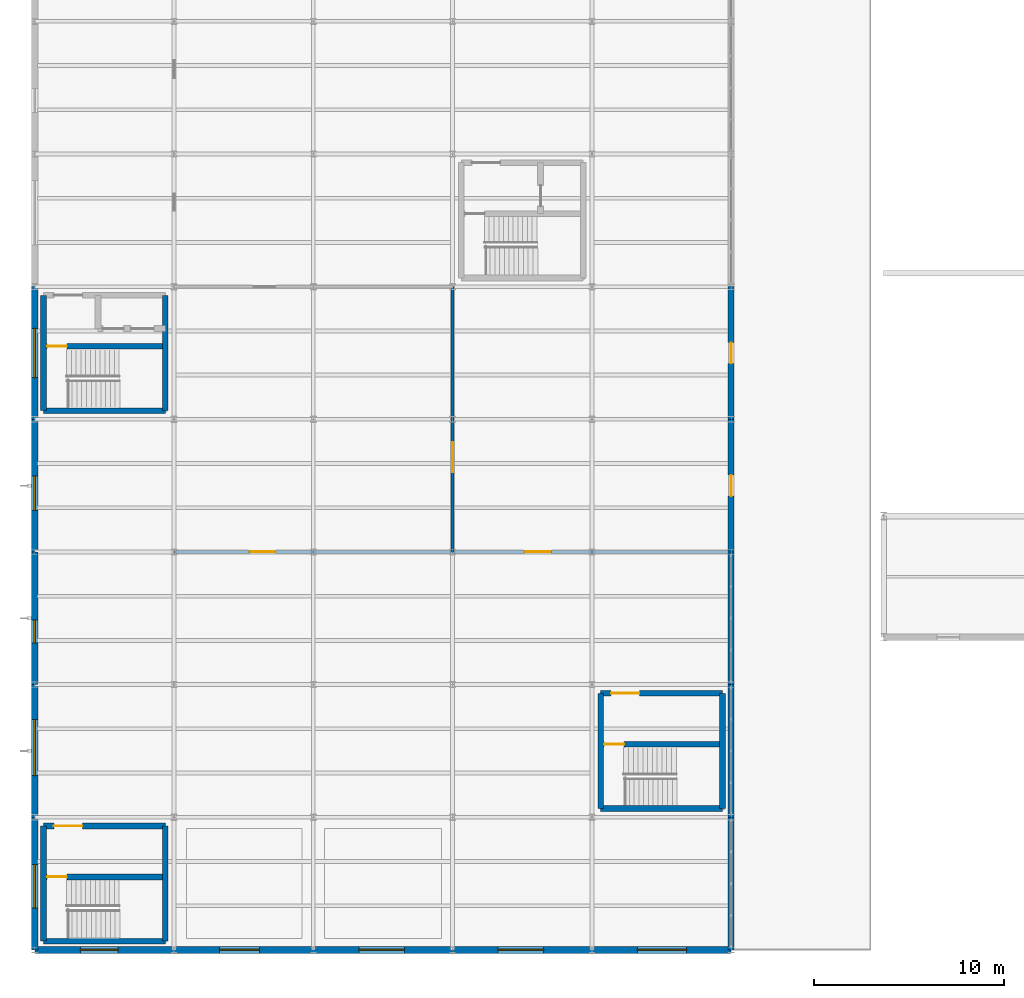
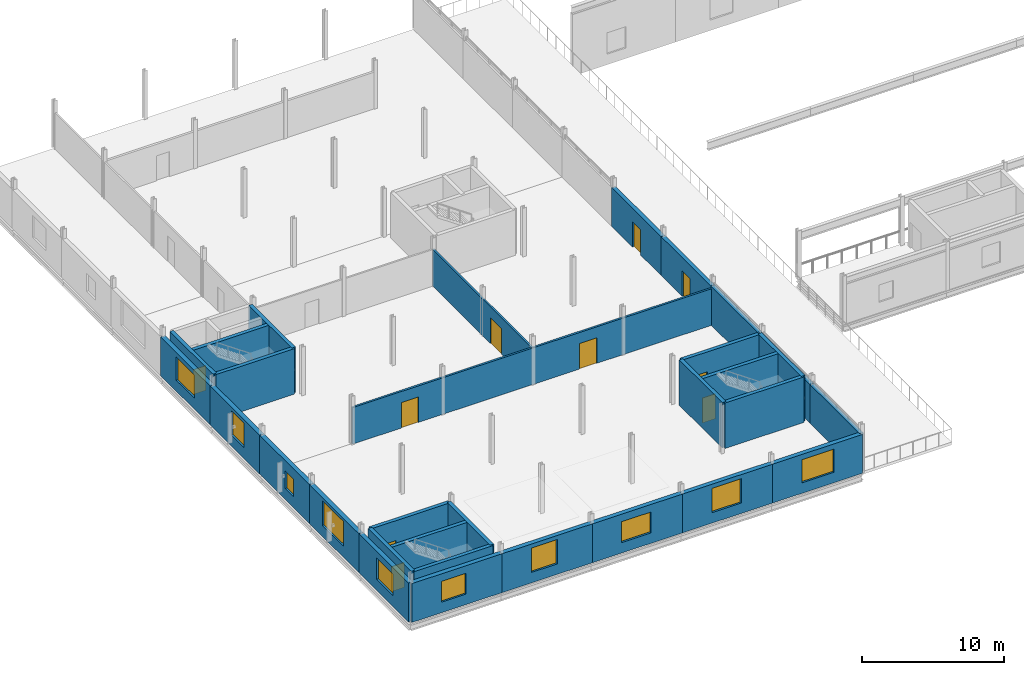
# One storey, part 30 of 39: 31 walls, 10 doors, 10 windows, 20 openings.
"""IFC4 building model written with IfcOpenShell, lengths in metres."""

from ifc_helpers import new_model, si_unit, direction, frame, frame_2d, origin, origin_with_axes, place, context, subcontext, project, spatial, rectangle, extrude, material, layer, layer_set, type_object, element, fill, save


model = new_model("IFC4")

# Units and contexts
model_context = context("Model", 3, precision=1e-05, world=origin(), true_north=direction((0.0, 1.0)))
body_context = subcontext(model_context, "Body", "Model", "MODEL_VIEW")
ifc_project = project(units=[si_unit("LENGTHUNIT", "METRE"), si_unit("AREAUNIT", "SQUARE_METRE"), si_unit("VOLUMEUNIT", "CUBIC_METRE"), si_unit("PLANEANGLEUNIT", "RADIAN"), si_unit("MASSUNIT", "GRAM", prefix="KILO")], contexts=[model_context])

# Site, building, storey
site_placement = place(None, origin())
site = spatial("IfcSite", under=ifc_project, at=site_placement, CompositionType="ELEMENT")
building_placement = place(site_placement, origin())
building = spatial("IfcBuilding", under=site, at=building_placement, Name="Kazenagashi Tramway Depot", CompositionType="ELEMENT")
storey_placement = place(building_placement, frame((0.0, 0.0, 11.1)))
storey = spatial("IfcBuildingStorey", under=building, at=storey_placement, Name="L03", CompositionType="ELEMENT", Elevation=11.1)

# Wall, opening, window
ifc_material_1 = material(Name="Clay Brick Masonry JIS R 1250 Class 1 (20 MPa)", Category="masonry")
ifc_layer_1 = layer(ifc_material_1, 0.36)
ifc_layer_set_1 = layer_set([ifc_layer_1], Name="Clay Brick Masonry JIS R 1250 Class 1 (20 MPa)")
wall_type_1 = type_object("IfcWallType", Name="W-BK2", PredefinedType="SOLIDWALL", material=ifc_layer_set_1)
wall_1_placement = place(storey_placement, frame((0.0, 0.0, 0.0), z_axis=(0.0, 0.0, 1.0), x_axis=(0.0, 1.0, 0.0)))
wall_1 = element("IfcWall", 1, at=wall_1_placement, inside=storey, type_object=wall_type_1, Name="Exterior Brick Wall W-BK2 EWALL-0201", PredefinedType="SOLIDWALL", context=body_context, shape_type="SweptSolid", body=[
    extrude(rectangle(XDim=7.0, YDim=0.36, at=frame_2d((3.5, 0.0))), origin(), (0.0, 0.0, 1.0), 3.35),
])
opening_1_placement = place(wall_1_placement, frame((2.2, 0.0, 0.95)))
opening_1 = element("IfcOpeningElement", 2, at=opening_1_placement, cuts=wall_1, Name="Opening WN-40", PredefinedType="OPENING", context=body_context, shape_type="SweptSolid", body=[
    extrude(rectangle(XDim=2.3, YDim=1.85, at=frame_2d((1.15, 0.925))), frame((0.0, 0.19, 0.0), z_axis=(0.0, -1.0, 0.0), x_axis=(1.0, 0.0, 0.0)), (0.0, 0.0, 1.0), 0.38),
])
ifc_material_2 = material(Name="Anodised Aluminium and Tempered Low-E Glass", Category="aluminium")
window_type_1 = type_object("IfcWindowType", Name="WN-40", PartitioningType="SINGLE_PANEL", PredefinedType="WINDOW", material=ifc_material_2)
window_1_placement = place(opening_1_placement, origin())
window_1 = element("IfcWindow", 3, at=window_1_placement, inside=storey, type_object=window_type_1, Name="Window WN-40 WIN-0184", OverallHeight=1.85, OverallWidth=2.3, PartitioningType="SINGLE_PANEL", PredefinedType="WINDOW", context=body_context, shape_type="SweptSolid", body=[
    extrude(rectangle(XDim=2.3, YDim=1.85, at=frame_2d((1.15, 0.925))), frame((0.0, 0.03, 0.0), z_axis=(0.0, -1.0, 0.0), x_axis=(1.0, 0.0, 0.0)), (0.0, 0.0, 1.0), 0.06),
])
fill(opening_1, window_1)

wall_2_placement = place(storey_placement, frame((0.0, 7.0, 0.0), z_axis=(0.0, 0.0, 1.0), x_axis=(0.0, 1.0, 0.0)))
wall_2 = element("IfcWall", 4, at=wall_2_placement, inside=storey, type_object=wall_type_1, Name="Exterior Brick Wall W-BK2 EWALL-0206", PredefinedType="SOLIDWALL", context=body_context, shape_type="SweptSolid", body=[
    extrude(rectangle(XDim=7.0, YDim=0.36, at=frame_2d((3.5, 0.0))), origin(), (0.0, 0.0, 1.0), 3.35),
])
opening_2_placement = place(wall_2_placement, frame((2.2, 0.0, 0.95)))
opening_2 = element("IfcOpeningElement", 5, at=opening_2_placement, cuts=wall_2, Name="Opening WN-45", PredefinedType="OPENING", context=body_context, shape_type="SweptSolid", body=[
    extrude(rectangle(XDim=2.95, YDim=2.15, at=frame_2d((1.475, 1.075))), frame((0.0, 0.19, 0.0), z_axis=(0.0, -1.0, 0.0), x_axis=(1.0, 0.0, 0.0)), (0.0, 0.0, 1.0), 0.38),
])
window_type_2 = type_object("IfcWindowType", Name="WN-45", PartitioningType="SINGLE_PANEL", PredefinedType="WINDOW", material=ifc_material_2)
window_2_placement = place(opening_2_placement, origin())
window_2 = element("IfcWindow", 6, at=window_2_placement, inside=storey, type_object=window_type_2, Name="Window WN-45 WIN-0189", OverallHeight=2.15, OverallWidth=2.95, PartitioningType="SINGLE_PANEL", PredefinedType="WINDOW", context=body_context, shape_type="SweptSolid", body=[
    extrude(rectangle(XDim=2.95, YDim=2.15, at=frame_2d((1.475, 1.075))), frame((0.0, 0.03, 0.0), z_axis=(0.0, -1.0, 0.0), x_axis=(1.0, 0.0, 0.0)), (0.0, 0.0, 1.0), 0.06),
])
fill(opening_2, window_2)

wall_3_placement = place(storey_placement, frame((0.0, 14.0, 0.0), z_axis=(0.0, 0.0, 1.0), x_axis=(0.0, 1.0, 0.0)))
wall_3 = element("IfcWall", 7, at=wall_3_placement, inside=storey, type_object=wall_type_1, Name="Exterior Brick Wall W-BK2 EWALL-0211", PredefinedType="SOLIDWALL", context=body_context, shape_type="SweptSolid", body=[
    extrude(rectangle(XDim=7.0, YDim=0.36, at=frame_2d((3.5, 0.0))), origin(), (0.0, 0.0, 1.0), 3.35),
])
opening_3_placement = place(wall_3_placement, frame((2.2, 0.0, 0.95)))
opening_3 = element("IfcOpeningElement", 8, at=opening_3_placement, cuts=wall_3, Name="Opening WN-01", PredefinedType="OPENING", context=body_context, shape_type="SweptSolid", body=[
    extrude(rectangle(XDim=1.2, YDim=1.5, at=frame_2d((0.6, 0.75))), frame((0.0, 0.19, 0.0), z_axis=(0.0, -1.0, 0.0), x_axis=(1.0, 0.0, 0.0)), (0.0, 0.0, 1.0), 0.38),
])
window_type_3 = type_object("IfcWindowType", Name="WN-01", PartitioningType="SINGLE_PANEL", PredefinedType="WINDOW", material=ifc_material_2)
window_3_placement = place(opening_3_placement, origin())
window_3 = element("IfcWindow", 9, at=window_3_placement, inside=storey, type_object=window_type_3, Name="Window WN-01 WIN-0193", OverallHeight=1.5, OverallWidth=1.2, PartitioningType="SINGLE_PANEL", PredefinedType="WINDOW", context=body_context, shape_type="SweptSolid", body=[
    extrude(rectangle(XDim=1.2, YDim=1.5, at=frame_2d((0.6, 0.75))), frame((0.0, 0.03, 0.0), z_axis=(0.0, -1.0, 0.0), x_axis=(1.0, 0.0, 0.0)), (0.0, 0.0, 1.0), 0.06),
])
fill(opening_3, window_3)

wall_4_placement = place(storey_placement, frame((0.0, 21.0, 0.0), z_axis=(0.0, 0.0, 1.0), x_axis=(0.0, 1.0, 0.0)))
wall_4 = element("IfcWall", 10, at=wall_4_placement, inside=storey, type_object=wall_type_1, Name="Exterior Brick Wall W-BK2 EWALL-0216", PredefinedType="SOLIDWALL", context=body_context, shape_type="SweptSolid", body=[
    extrude(rectangle(XDim=7.0, YDim=0.36, at=frame_2d((3.5, 0.0))), origin(), (0.0, 0.0, 1.0), 3.35),
])
opening_4_placement = place(wall_4_placement, frame((2.2, 0.0, 0.95)))
opening_4 = element("IfcOpeningElement", 11, at=opening_4_placement, cuts=wall_4, Name="Opening WN-06", PredefinedType="OPENING", context=body_context, shape_type="SweptSolid", body=[
    extrude(rectangle(XDim=1.8, YDim=2.1, at=frame_2d((0.9, 1.05))), frame((0.0, 0.19, 0.0), z_axis=(0.0, -1.0, 0.0), x_axis=(1.0, 0.0, 0.0)), (0.0, 0.0, 1.0), 0.38),
])
window_type_4 = type_object("IfcWindowType", Name="WN-06", PartitioningType="SINGLE_PANEL", PredefinedType="WINDOW", material=ifc_material_2)
window_4_placement = place(opening_4_placement, origin())
window_4 = element("IfcWindow", 12, at=window_4_placement, inside=storey, type_object=window_type_4, Name="Window WN-06 WIN-0198", OverallHeight=2.1, OverallWidth=1.8, PartitioningType="SINGLE_PANEL", PredefinedType="WINDOW", context=body_context, shape_type="SweptSolid", body=[
    extrude(rectangle(XDim=1.8, YDim=2.1, at=frame_2d((0.9, 1.05))), frame((0.0, 0.03, 0.0), z_axis=(0.0, -1.0, 0.0), x_axis=(1.0, 0.0, 0.0)), (0.0, 0.0, 1.0), 0.06),
])
fill(opening_4, window_4)

wall_5_placement = place(storey_placement, frame((0.0, 28.0, 0.0), z_axis=(0.0, 0.0, 1.0), x_axis=(0.0, 1.0, 0.0)))
wall_5 = element("IfcWall", 13, at=wall_5_placement, inside=storey, type_object=wall_type_1, Name="Exterior Brick Wall W-BK2 EWALL-0221", PredefinedType="SOLIDWALL", context=body_context, shape_type="SweptSolid", body=[
    extrude(rectangle(XDim=7.0, YDim=0.36, at=frame_2d((3.5, 0.0))), origin(), (0.0, 0.0, 1.0), 3.35),
])
opening_5_placement = place(wall_5_placement, frame((2.2, 0.0, 0.95)))
opening_5 = element("IfcOpeningElement", 14, at=opening_5_placement, cuts=wall_5, Name="Opening WN-11", PredefinedType="OPENING", context=body_context, shape_type="SweptSolid", body=[
    extrude(rectangle(XDim=2.6, YDim=2.0, at=frame_2d((1.3, 1.0))), frame((0.0, 0.19, 0.0), z_axis=(0.0, -1.0, 0.0), x_axis=(1.0, 0.0, 0.0)), (0.0, 0.0, 1.0), 0.38),
])
window_type_5 = type_object("IfcWindowType", Name="WN-11", PartitioningType="SINGLE_PANEL", PredefinedType="WINDOW", material=ifc_material_2)
window_5_placement = place(opening_5_placement, origin())
window_5 = element("IfcWindow", 15, at=window_5_placement, inside=storey, type_object=window_type_5, Name="Window WN-11 WIN-0203", OverallHeight=2.0, OverallWidth=2.6, PartitioningType="SINGLE_PANEL", PredefinedType="WINDOW", context=body_context, shape_type="SweptSolid", body=[
    extrude(rectangle(XDim=2.6, YDim=2.0, at=frame_2d((1.3, 1.0))), frame((0.0, 0.03, 0.0), z_axis=(0.0, -1.0, 0.0), x_axis=(1.0, 0.0, 0.0)), (0.0, 0.0, 1.0), 0.06),
])
fill(opening_5, window_5)

wall_6_placement = place(storey_placement, origin_with_axes())
wall_6 = element("IfcWall", 16, at=wall_6_placement, inside=storey, type_object=wall_type_1, Name="Exterior Brick Wall W-BK2 EWALL-0249", PredefinedType="SOLIDWALL", context=body_context, shape_type="SweptSolid", body=[
    extrude(rectangle(XDim=7.35, YDim=0.36, at=frame_2d((3.675, 0.0))), origin(), (0.0, 0.0, 1.0), 3.35),
])
opening_6_placement = place(wall_6_placement, frame((2.4, 0.0, 0.9)))
opening_6 = element("IfcOpeningElement", 17, at=opening_6_placement, cuts=wall_6, Name="Opening WN-07", PredefinedType="OPENING", context=body_context, shape_type="SweptSolid", body=[
    extrude(rectangle(XDim=2.0, YDim=1.8, at=frame_2d((1.0, 0.9))), frame((0.0, 0.19, 0.0), z_axis=(0.0, -1.0, 0.0), x_axis=(1.0, 0.0, 0.0)), (0.0, 0.0, 1.0), 0.38),
])
window_type_6 = type_object("IfcWindowType", Name="WN-07", PartitioningType="SINGLE_PANEL", PredefinedType="WINDOW", material=ifc_material_2)
window_6_placement = place(opening_6_placement, origin())
window_6 = element("IfcWindow", 18, at=window_6_placement, inside=storey, type_object=window_type_6, Name="Window WN-07 WIN-0219", OverallHeight=1.8, OverallWidth=2.0, PartitioningType="SINGLE_PANEL", PredefinedType="WINDOW", context=body_context, shape_type="SweptSolid", body=[
    extrude(rectangle(XDim=2.0, YDim=1.8, at=frame_2d((1.0, 0.9))), frame((0.0, 0.03, 0.0), z_axis=(0.0, -1.0, 0.0), x_axis=(1.0, 0.0, 0.0)), (0.0, 0.0, 1.0), 0.06),
])
fill(opening_6, window_6)

wall_7_placement = place(storey_placement, frame((7.35, 0.0, 0.0), z_axis=(0.0, 0.0, 1.0), x_axis=(1.0, 0.0, 0.0)))
wall_7 = element("IfcWall", 19, at=wall_7_placement, inside=storey, type_object=wall_type_1, Name="Exterior Brick Wall W-BK2 EWALL-0252", PredefinedType="SOLIDWALL", context=body_context, shape_type="SweptSolid", body=[
    extrude(rectangle(XDim=7.35, YDim=0.36, at=frame_2d((3.675, 0.0))), origin(), (0.0, 0.0, 1.0), 3.35),
])
opening_7_placement = place(wall_7_placement, frame((2.4, 0.0, 0.9)))
opening_7 = element("IfcOpeningElement", 20, at=opening_7_placement, cuts=wall_7, Name="Opening WN-08", PredefinedType="OPENING", context=body_context, shape_type="SweptSolid", body=[
    extrude(rectangle(XDim=2.1, YDim=2.1, at=frame_2d((1.05, 1.05))), frame((0.0, 0.19, 0.0), z_axis=(0.0, -1.0, 0.0), x_axis=(1.0, 0.0, 0.0)), (0.0, 0.0, 1.0), 0.38),
])
window_type_7 = type_object("IfcWindowType", Name="WN-08", PartitioningType="SINGLE_PANEL", PredefinedType="WINDOW", material=ifc_material_2)
window_7_placement = place(opening_7_placement, origin())
window_7 = element("IfcWindow", 21, at=window_7_placement, inside=storey, type_object=window_type_7, Name="Window WN-08 WIN-0222", OverallHeight=2.1, OverallWidth=2.1, PartitioningType="SINGLE_PANEL", PredefinedType="WINDOW", context=body_context, shape_type="SweptSolid", body=[
    extrude(rectangle(XDim=2.1, YDim=2.1, at=frame_2d((1.05, 1.05))), frame((0.0, 0.03, 0.0), z_axis=(0.0, -1.0, 0.0), x_axis=(1.0, 0.0, 0.0)), (0.0, 0.0, 1.0), 0.06),
])
fill(opening_7, window_7)

wall_8_placement = place(storey_placement, frame((14.7, 0.0, 0.0), z_axis=(0.0, 0.0, 1.0), x_axis=(1.0, 0.0, 0.0)))
wall_8 = element("IfcWall", 22, at=wall_8_placement, inside=storey, type_object=wall_type_1, Name="Exterior Brick Wall W-BK2 EWALL-0255", PredefinedType="SOLIDWALL", context=body_context, shape_type="SweptSolid", body=[
    extrude(rectangle(XDim=7.35, YDim=0.36, at=frame_2d((3.675, 0.0))), origin(), (0.0, 0.0, 1.0), 3.35),
])
opening_8_placement = place(wall_8_placement, frame((2.4, 0.0, 0.9)))
opening_8 = element("IfcOpeningElement", 23, at=opening_8_placement, cuts=wall_8, Name="Opening WN-09", PredefinedType="OPENING", context=body_context, shape_type="SweptSolid", body=[
    extrude(rectangle(XDim=2.4, YDim=1.8, at=frame_2d((1.2, 0.9))), frame((0.0, 0.19, 0.0), z_axis=(0.0, -1.0, 0.0), x_axis=(1.0, 0.0, 0.0)), (0.0, 0.0, 1.0), 0.38),
])
window_type_8 = type_object("IfcWindowType", Name="WN-09", PartitioningType="SINGLE_PANEL", PredefinedType="WINDOW", material=ifc_material_2)
window_8_placement = place(opening_8_placement, origin())
window_8 = element("IfcWindow", 24, at=window_8_placement, inside=storey, type_object=window_type_8, Name="Window WN-09 WIN-0225", OverallHeight=1.8, OverallWidth=2.4, PartitioningType="SINGLE_PANEL", PredefinedType="WINDOW", context=body_context, shape_type="SweptSolid", body=[
    extrude(rectangle(XDim=2.4, YDim=1.8, at=frame_2d((1.2, 0.9))), frame((0.0, 0.03, 0.0), z_axis=(0.0, -1.0, 0.0), x_axis=(1.0, 0.0, 0.0)), (0.0, 0.0, 1.0), 0.06),
])
fill(opening_8, window_8)

wall_9_placement = place(storey_placement, frame((22.05, 0.0, 0.0), z_axis=(0.0, 0.0, 1.0), x_axis=(1.0, 0.0, 0.0)))
wall_9 = element("IfcWall", 25, at=wall_9_placement, inside=storey, type_object=wall_type_1, Name="Exterior Brick Wall W-BK2 EWALL-0258", PredefinedType="SOLIDWALL", context=body_context, shape_type="SweptSolid", body=[
    extrude(rectangle(XDim=7.35, YDim=0.36, at=frame_2d((3.675, 0.0))), origin(), (0.0, 0.0, 1.0), 3.35),
])
opening_9_placement = place(wall_9_placement, frame((2.4, 0.0, 0.9)))
opening_9 = element("IfcOpeningElement", 26, at=opening_9_placement, cuts=wall_9, Name="Opening WN-10", PredefinedType="OPENING", context=body_context, shape_type="SweptSolid", body=[
    extrude(rectangle(XDim=2.4, YDim=2.1, at=frame_2d((1.2, 1.05))), frame((0.0, 0.19, 0.0), z_axis=(0.0, -1.0, 0.0), x_axis=(1.0, 0.0, 0.0)), (0.0, 0.0, 1.0), 0.38),
])
window_type_9 = type_object("IfcWindowType", Name="WN-10", PartitioningType="SINGLE_PANEL", PredefinedType="WINDOW", material=ifc_material_2)
window_9_placement = place(opening_9_placement, origin())
window_9 = element("IfcWindow", 27, at=window_9_placement, inside=storey, type_object=window_type_9, Name="Window WN-10 WIN-0228", OverallHeight=2.1, OverallWidth=2.4, PartitioningType="SINGLE_PANEL", PredefinedType="WINDOW", context=body_context, shape_type="SweptSolid", body=[
    extrude(rectangle(XDim=2.4, YDim=2.1, at=frame_2d((1.2, 1.05))), frame((0.0, 0.03, 0.0), z_axis=(0.0, -1.0, 0.0), x_axis=(1.0, 0.0, 0.0)), (0.0, 0.0, 1.0), 0.06),
])
fill(opening_9, window_9)

wall_10_placement = place(storey_placement, frame((29.4, 0.0, 0.0), z_axis=(0.0, 0.0, 1.0), x_axis=(1.0, 0.0, 0.0)))
wall_10 = element("IfcWall", 28, at=wall_10_placement, inside=storey, type_object=wall_type_1, Name="Exterior Brick Wall W-BK2 EWALL-0261", PredefinedType="SOLIDWALL", context=body_context, shape_type="SweptSolid", body=[
    extrude(rectangle(XDim=7.35, YDim=0.36, at=frame_2d((3.675, 0.0))), origin(), (0.0, 0.0, 1.0), 3.35),
])
opening_10_placement = place(wall_10_placement, frame((2.4, 0.0, 0.9)))
opening_10 = element("IfcOpeningElement", 29, at=opening_10_placement, cuts=wall_10, Name="Opening WN-11", PredefinedType="OPENING", context=body_context, shape_type="SweptSolid", body=[
    extrude(rectangle(XDim=2.6, YDim=2.0, at=frame_2d((1.3, 1.0))), frame((0.0, 0.19, 0.0), z_axis=(0.0, -1.0, 0.0), x_axis=(1.0, 0.0, 0.0)), (0.0, 0.0, 1.0), 0.38),
])
window_10_placement = place(opening_10_placement, origin())
window_10 = element("IfcWindow", 30, at=window_10_placement, inside=storey, type_object=window_type_5, Name="Window WN-11 WIN-0230", OverallHeight=2.0, OverallWidth=2.6, PartitioningType="SINGLE_PANEL", PredefinedType="WINDOW", context=body_context, shape_type="SweptSolid", body=[
    extrude(rectangle(XDim=2.6, YDim=2.0, at=frame_2d((1.3, 1.0))), frame((0.0, 0.03, 0.0), z_axis=(0.0, -1.0, 0.0), x_axis=(1.0, 0.0, 0.0)), (0.0, 0.0, 1.0), 0.06),
])
fill(opening_10, window_10)

# Walls
ifc_layer_2 = layer(ifc_material_1, 0.32)
ifc_layer_set_2 = layer_set([ifc_layer_2], Name="Clay Brick Masonry JIS R 1250 Class 1 (20 MPa)")
wall_type_2 = type_object("IfcWallType", Name="W-BK3", PredefinedType="SOLIDWALL", material=ifc_layer_set_2)
for number, where, z_axis, x_axis, name in (
    (31, (36.75, 0.0, 0.0), (0.0, 0.0, 1.0), (0.0, 1.0, 0.0), "Exterior Brick Wall W-BK3 EWALL-0239"),
    (32, (36.75, 7.0, 0.0), (0.0, 0.0, 1.0), (0.0, 1.0, 0.0), "Exterior Brick Wall W-BK3 EWALL-0240"),
    (33, (36.75, 14.0, 0.0), (0.0, 0.0, 1.0), (0.0, 1.0, 0.0), "Exterior Brick Wall W-BK3 EWALL-0241"),
):
    element("IfcWall", number, at=place(storey_placement, frame(where, z_axis=z_axis, x_axis=x_axis)), inside=storey, type_object=wall_type_2, Name=name, PredefinedType="SOLIDWALL", context=body_context, shape_type="SweptSolid", body=[
        extrude(rectangle(XDim=7.0, YDim=0.32, at=frame_2d((3.5, 0.0))), origin(), (0.0, 0.0, 1.0), 3.35),
    ])

# Wall, opening, door
wall_11_placement = place(storey_placement, frame((36.75, 21.0, 0.0), z_axis=(0.0, 0.0, 1.0), x_axis=(0.0, 1.0, 0.0)))
wall_11 = element("IfcWall", 34, at=wall_11_placement, inside=storey, type_object=wall_type_2, Name="Exterior Brick Wall W-BK3 EWALL-0242", PredefinedType="SOLIDWALL", context=body_context, shape_type="SweptSolid", body=[
    extrude(rectangle(XDim=7.0, YDim=0.32, at=frame_2d((3.5, 0.0))), origin(), (0.0, 0.0, 1.0), 3.35),
])
opening_11_placement = place(wall_11_placement, frame((2.95, 0.0, 0.0)))
opening_11 = element("IfcOpeningElement", 35, at=opening_11_placement, cuts=wall_11, Name="Opening D-020", PredefinedType="OPENING", context=body_context, shape_type="SweptSolid", body=[
    extrude(rectangle(XDim=1.1, YDim=2.2, at=frame_2d((0.55, 1.1))), frame((0.0, 0.17, 0.0), z_axis=(0.0, -1.0, 0.0), x_axis=(1.0, 0.0, 0.0)), (0.0, 0.0, 1.0), 0.34),
])
ifc_material_3 = material(Name="Anodised Aluminium Terrace Door", Category="aluminium")
door_type_1 = type_object("IfcDoorType", Name="DT-04", OperationType="NOTDEFINED", PredefinedType="DOOR", material=ifc_material_3)
door_1_placement = place(opening_11_placement, frame((1.1, 0.0, 0.0), z_axis=(0.0, 0.0, 1.0), x_axis=(-1.0, 0.0, 0.0)))
door_1 = element("IfcDoor", 36, at=door_1_placement, inside=storey, type_object=door_type_1, Name="Canteen East Dining Terrace Door D-020", OperationType="SINGLE_SWING_RIGHT", OverallHeight=2.2, OverallWidth=1.1, PredefinedType="DOOR", context=body_context, shape_type="SweptSolid", body=[
    extrude(rectangle(XDim=1.1, YDim=2.2, at=frame_2d((0.55, 1.1))), frame((0.0, 0.025, 0.0), z_axis=(0.0, -1.0, 0.0), x_axis=(1.0, 0.0, 0.0)), (0.0, 0.0, 1.0), 0.05),
])
fill(opening_11, door_1)

wall_12_placement = place(storey_placement, frame((36.75, 28.0, 0.0), z_axis=(0.0, 0.0, 1.0), x_axis=(0.0, 1.0, 0.0)))
wall_12 = element("IfcWall", 37, at=wall_12_placement, inside=storey, type_object=wall_type_2, Name="Exterior Brick Wall W-BK3 EWALL-0243", PredefinedType="SOLIDWALL", context=body_context, shape_type="SweptSolid", body=[
    extrude(rectangle(XDim=7.0, YDim=0.32, at=frame_2d((3.5, 0.0))), origin(), (0.0, 0.0, 1.0), 3.35),
])
opening_12_placement = place(wall_12_placement, frame((2.95, 0.0, 0.0)))
opening_12 = element("IfcOpeningElement", 38, at=opening_12_placement, cuts=wall_12, Name="Opening D-021", PredefinedType="OPENING", context=body_context, shape_type="SweptSolid", body=[
    extrude(rectangle(XDim=1.1, YDim=2.2, at=frame_2d((0.55, 1.1))), frame((0.0, 0.17, 0.0), z_axis=(0.0, -1.0, 0.0), x_axis=(1.0, 0.0, 0.0)), (0.0, 0.0, 1.0), 0.34),
])
door_2_placement = place(opening_12_placement, frame((1.1, 0.0, 0.0), z_axis=(0.0, 0.0, 1.0), x_axis=(-1.0, 0.0, 0.0)))
door_2 = element("IfcDoor", 39, at=door_2_placement, inside=storey, type_object=door_type_1, Name="Canteen East Dining Terrace Door D-021", OperationType="SINGLE_SWING_RIGHT", OverallHeight=2.2, OverallWidth=1.1, PredefinedType="DOOR", context=body_context, shape_type="SweptSolid", body=[
    extrude(rectangle(XDim=1.1, YDim=2.2, at=frame_2d((0.55, 1.1))), frame((0.0, 0.025, 0.0), z_axis=(0.0, -1.0, 0.0), x_axis=(1.0, 0.0, 0.0)), (0.0, 0.0, 1.0), 0.05),
])
fill(opening_12, door_2)

ifc_material_4 = material(Name="Gypsum Plasterboard Partition", Category="gypsum")
ifc_layer_3 = layer(ifc_material_4, 0.15)
ifc_layer_set_3 = layer_set([ifc_layer_3], Name="Gypsum Plasterboard Partition")
wall_type_3 = type_object("IfcWallType", Name="W-PT1", PredefinedType="PARTITIONING", material=ifc_layer_set_3)
wall_13_placement = place(storey_placement, frame((22.05, 21.0, 0.0), z_axis=(0.0, 0.0, 1.0), x_axis=(0.0, 1.0, 0.0)))
wall_13 = element("IfcWall", 40, at=wall_13_placement, inside=storey, type_object=wall_type_3, Name="Interior Partition W-PT1 IWALL-0276", PredefinedType="PARTITIONING", context=body_context, shape_type="SweptSolid", body=[
    extrude(rectangle(XDim=14.0, YDim=0.15, at=frame_2d((7.0, 0.0))), origin(), (0.0, 0.0, 1.0), 3.15),
])
opening_13_placement = place(wall_13_placement, frame((4.2, 0.0, 0.0)))
opening_13 = element("IfcOpeningElement", 41, at=opening_13_placement, cuts=wall_13, Name="Opening D-185", PredefinedType="OPENING", context=body_context, shape_type="SweptSolid", body=[
    extrude(rectangle(XDim=1.6, YDim=2.2, at=frame_2d((0.8, 1.1))), frame((0.0, 0.085, 0.0), z_axis=(0.0, -1.0, 0.0), x_axis=(1.0, 0.0, 0.0)), (0.0, 0.0, 1.0), 0.17),
])
ifc_material_5 = material(Name="Powder-Coated Steel Door", Category="steel")
door_type_2 = type_object("IfcDoorType", Name="DT-17", OperationType="NOTDEFINED", PredefinedType="DOOR", material=ifc_material_5)
door_3_placement = place(opening_13_placement, origin())
door_3 = element("IfcDoor", 42, at=door_3_placement, inside=storey, type_object=door_type_2, Name="Interior Door D-185", OperationType="DOUBLE_DOOR_SINGLE_SWING", OverallHeight=2.2, OverallWidth=1.6, PredefinedType="DOOR", context=body_context, shape_type="SweptSolid", body=[
    extrude(rectangle(XDim=1.6, YDim=2.2, at=frame_2d((0.8, 1.1))), frame((0.0, 0.025, 0.0), z_axis=(0.0, -1.0, 0.0), x_axis=(1.0, 0.0, 0.0)), (0.0, 0.0, 1.0), 0.05),
])
fill(opening_13, door_3)

# Wall, openings, doors
ifc_layer_4 = layer(ifc_material_4, 0.165)
ifc_layer_set_4 = layer_set([ifc_layer_4], Name="Gypsum Plasterboard Partition")
wall_type_4 = type_object("IfcWallType", Name="W-PT7", PredefinedType="PARTITIONING", material=ifc_layer_set_4)
wall_14_placement = place(storey_placement, frame((7.35, 21.0, 0.0), z_axis=(0.0, 0.0, 1.0), x_axis=(1.0, 0.0, 0.0)))
wall_14 = element("IfcWall", 43, at=wall_14_placement, inside=storey, type_object=wall_type_4, Name="Interior Partition W-PT7 IWALL-0275", PredefinedType="PARTITIONING", context=body_context, shape_type="SweptSolid", body=[
    extrude(rectangle(XDim=29.4, YDim=0.165, at=frame_2d((14.7, 0.0))), origin(), (0.0, 0.0, 1.0), 3.15),
])
opening_14_placement = place(wall_14_placement, frame((4.0, 0.0, 0.0)))
opening_14 = element("IfcOpeningElement", 44, at=opening_14_placement, cuts=wall_14, Name="Opening D-183", PredefinedType="OPENING", context=body_context, shape_type="SweptSolid", body=[
    extrude(rectangle(XDim=1.35, YDim=2.2, at=frame_2d((0.675, 1.1))), frame((0.0, 0.0925, 0.0), z_axis=(0.0, -1.0, 0.0), x_axis=(1.0, 0.0, 0.0)), (0.0, 0.0, 1.0), 0.185),
])
opening_15_placement = place(wall_14_placement, frame((18.5, 0.0, 0.0)))
opening_15 = element("IfcOpeningElement", 45, at=opening_15_placement, cuts=wall_14, Name="Opening D-184", PredefinedType="OPENING", context=body_context, shape_type="SweptSolid", body=[
    extrude(rectangle(XDim=1.4, YDim=2.2, at=frame_2d((0.7, 1.1))), frame((0.0, 0.0925, 0.0), z_axis=(0.0, -1.0, 0.0), x_axis=(1.0, 0.0, 0.0)), (0.0, 0.0, 1.0), 0.185),
])
door_type_3 = type_object("IfcDoorType", Name="DT-15", OperationType="NOTDEFINED", PredefinedType="DOOR", material=ifc_material_5)
door_4_placement = place(opening_14_placement, origin())
door_4 = element("IfcDoor", 46, at=door_4_placement, inside=storey, type_object=door_type_3, Name="Interior Door D-183", OperationType="DOUBLE_DOOR_SINGLE_SWING", OverallHeight=2.2, OverallWidth=1.35, PredefinedType="DOOR", context=body_context, shape_type="SweptSolid", body=[
    extrude(rectangle(XDim=1.35, YDim=2.2, at=frame_2d((0.675, 1.1))), frame((0.0, 0.025, 0.0), z_axis=(0.0, -1.0, 0.0), x_axis=(1.0, 0.0, 0.0)), (0.0, 0.0, 1.0), 0.05),
])
fill(opening_14, door_4)
door_type_4 = type_object("IfcDoorType", Name="DT-16", OperationType="NOTDEFINED", PredefinedType="DOOR", material=ifc_material_5)
door_5_placement = place(opening_15_placement, origin())
door_5 = element("IfcDoor", 47, at=door_5_placement, inside=storey, type_object=door_type_4, Name="Interior Door D-184", OperationType="DOUBLE_DOOR_SINGLE_SWING", OverallHeight=2.2, OverallWidth=1.4, PredefinedType="DOOR", context=body_context, shape_type="SweptSolid", body=[
    extrude(rectangle(XDim=1.4, YDim=2.2, at=frame_2d((0.7, 1.1))), frame((0.0, 0.025, 0.0), z_axis=(0.0, -1.0, 0.0), x_axis=(1.0, 0.0, 0.0)), (0.0, 0.0, 1.0), 0.05),
])
fill(opening_15, door_5)

# Walls
ifc_material_6 = material(Name="Concrete Fc36", Category="concrete")
ifc_layer_5 = layer(ifc_material_6, 0.3)
ifc_layer_set_5 = layer_set([ifc_layer_5], Name="Concrete Fc36")
wall_type_5 = type_object("IfcWallType", Name="W-RC1", PredefinedType="SHEAR", material=ifc_layer_set_5)
wall_15_placement = place(storey_placement, frame((0.46, 28.46, 0.0), z_axis=(0.0, 0.0, 1.0), x_axis=(1.0, 0.0, 0.0)))
element("IfcWall", 48, at=wall_15_placement, inside=storey, type_object=wall_type_5, Name="Core Shear Wall W-RC1 IWALL-0027", PredefinedType="SHEAR", context=body_context, shape_type="SweptSolid", body=[
    extrude(rectangle(XDim=6.43, YDim=0.3, at=frame_2d((3.215, 0.0))), origin(), (0.0, 0.0, 1.0), 3.92),
])
for number, where, z_axis, x_axis, name in (
    (49, (0.46, 28.46, 0.0), (0.0, 0.0, 1.0), (0.0, 1.0, 0.0), "Core Shear Wall W-RC1 IWALL-0029"),
    (50, (6.89, 28.46, 0.0), (0.0, 0.0, 1.0), (0.0, 1.0, 0.0), "Core Shear Wall W-RC1 IWALL-0030"),
):
    element("IfcWall", number, at=place(storey_placement, frame(where, z_axis=z_axis, x_axis=x_axis)), inside=storey, type_object=wall_type_5, Name=name, PredefinedType="SHEAR", context=body_context, shape_type="SweptSolid", body=[
        extrude(rectangle(XDim=6.08, YDim=0.3, at=frame_2d((3.04, 0.0))), origin(), (0.0, 0.0, 1.0), 3.92),
    ])

# Wall, opening, door
wall_16_placement = place(storey_placement, frame((0.46, 31.85, 0.0), z_axis=(0.0, 0.0, 1.0), x_axis=(1.0, 0.0, 0.0)))
wall_16 = element("IfcWall", 51, at=wall_16_placement, inside=storey, type_object=wall_type_5, Name="Core Shear Wall W-RC1 IWALL-0031", PredefinedType="SHEAR", context=body_context, shape_type="SweptSolid", body=[
    extrude(rectangle(XDim=6.43, YDim=0.3, at=frame_2d((3.215, 0.0))), origin(), (0.0, 0.0, 1.0), 3.92),
])
opening_16_placement = place(wall_16_placement, frame((0.185, 0.0, 0.0)))
opening_16 = element("IfcOpeningElement", 52, at=opening_16_placement, cuts=wall_16, Name="Opening D-055", PredefinedType="OPENING", context=body_context, shape_type="SweptSolid", body=[
    extrude(rectangle(XDim=1.05, YDim=2.15, at=frame_2d((0.525, 1.075))), frame((0.0, 0.16, 0.0), z_axis=(0.0, -1.0, 0.0), x_axis=(1.0, 0.0, 0.0)), (0.0, 0.0, 1.0), 0.32),
])
ifc_material_7 = material(Name="Galvanised Fire-Rated Steel Door", Category="steel")
door_type_5 = type_object("IfcDoorType", Name="DT-07", OperationType="NOTDEFINED", PredefinedType="DOOR", material=ifc_material_7)
door_6_placement = place(opening_16_placement, origin())
door_6 = element("IfcDoor", 53, at=door_6_placement, inside=storey, type_object=door_type_5, Name="Interior Door D-055", OperationType="SINGLE_SWING_RIGHT", OverallHeight=2.15, OverallWidth=1.05, PredefinedType="DOOR", context=body_context, shape_type="SweptSolid", body=[
    extrude(rectangle(XDim=1.05, YDim=2.15, at=frame_2d((0.525, 1.075))), frame((0.0, 0.025, 0.0), z_axis=(0.0, -1.0, 0.0), x_axis=(1.0, 0.0, 0.0)), (0.0, 0.0, 1.0), 0.05),
])
fill(opening_16, door_6)

# Wall
wall_17_placement = place(storey_placement, frame((29.86, 7.46, 0.0), z_axis=(0.0, 0.0, 1.0), x_axis=(1.0, 0.0, 0.0)))
element("IfcWall", 54, at=wall_17_placement, inside=storey, type_object=wall_type_5, Name="Core Shear Wall W-RC1 IWALL-0088", PredefinedType="SHEAR", context=body_context, shape_type="SweptSolid", body=[
    extrude(rectangle(XDim=6.43, YDim=0.3, at=frame_2d((3.215, 0.0))), origin(), (0.0, 0.0, 1.0), 3.92),
])

# Wall, opening, door
wall_18_placement = place(storey_placement, frame((29.86, 13.54, 0.0), z_axis=(0.0, 0.0, 1.0), x_axis=(1.0, 0.0, 0.0)))
wall_18 = element("IfcWall", 55, at=wall_18_placement, inside=storey, type_object=wall_type_5, Name="Core Shear Wall W-RC1 IWALL-0089", PredefinedType="SHEAR", context=body_context, shape_type="SweptSolid", body=[
    extrude(rectangle(XDim=6.43, YDim=0.3, at=frame_2d((3.215, 0.0))), origin(), (0.0, 0.0, 1.0), 3.92),
])
opening_17_placement = place(wall_18_placement, frame((0.55, 0.0, 0.0)))
opening_17 = element("IfcOpeningElement", 56, at=opening_17_placement, cuts=wall_18, Name="Opening D-076", PredefinedType="OPENING", context=body_context, shape_type="SweptSolid", body=[
    extrude(rectangle(XDim=1.5, YDim=2.2, at=frame_2d((0.75, 1.1))), frame((0.0, 0.16, 0.0), z_axis=(0.0, -1.0, 0.0), x_axis=(1.0, 0.0, 0.0)), (0.0, 0.0, 1.0), 0.32),
])
door_type_6 = type_object("IfcDoorType", Name="DT-05", OperationType="NOTDEFINED", PredefinedType="DOOR", material=ifc_material_7)
door_7_placement = place(opening_17_placement, origin())
door_7 = element("IfcDoor", 57, at=door_7_placement, inside=storey, type_object=door_type_6, Name="Interior Door D-076", OperationType="DOUBLE_DOOR_SINGLE_SWING", OverallHeight=2.2, OverallWidth=1.5, PredefinedType="DOOR", context=body_context, shape_type="SweptSolid", body=[
    extrude(rectangle(XDim=1.5, YDim=2.2, at=frame_2d((0.75, 1.1))), frame((0.0, 0.025, 0.0), z_axis=(0.0, -1.0, 0.0), x_axis=(1.0, 0.0, 0.0)), (0.0, 0.0, 1.0), 0.05),
])
fill(opening_17, door_7)

# Walls
for number, where, z_axis, x_axis, name in (
    (58, (29.86, 7.46, 0.0), (0.0, 0.0, 1.0), (0.0, 1.0, 0.0), "Core Shear Wall W-RC1 IWALL-0090"),
    (59, (36.29, 7.46, 0.0), (0.0, 0.0, 1.0), (0.0, 1.0, 0.0), "Core Shear Wall W-RC1 IWALL-0091"),
):
    element("IfcWall", number, at=place(storey_placement, frame(where, z_axis=z_axis, x_axis=x_axis)), inside=storey, type_object=wall_type_5, Name=name, PredefinedType="SHEAR", context=body_context, shape_type="SweptSolid", body=[
        extrude(rectangle(XDim=6.08, YDim=0.3, at=frame_2d((3.04, 0.0))), origin(), (0.0, 0.0, 1.0), 3.92),
    ])

# Wall, opening, door
wall_19_placement = place(storey_placement, frame((29.86, 10.85, 0.0), z_axis=(0.0, 0.0, 1.0), x_axis=(1.0, 0.0, 0.0)))
wall_19 = element("IfcWall", 60, at=wall_19_placement, inside=storey, type_object=wall_type_5, Name="Core Shear Wall W-RC1 IWALL-0092", PredefinedType="SHEAR", context=body_context, shape_type="SweptSolid", body=[
    extrude(rectangle(XDim=6.43, YDim=0.3, at=frame_2d((3.215, 0.0))), origin(), (0.0, 0.0, 1.0), 3.92),
])
opening_18_placement = place(wall_19_placement, frame((0.185, 0.0, 0.0)))
opening_18 = element("IfcOpeningElement", 61, at=opening_18_placement, cuts=wall_19, Name="Opening D-075", PredefinedType="OPENING", context=body_context, shape_type="SweptSolid", body=[
    extrude(rectangle(XDim=1.05, YDim=2.15, at=frame_2d((0.525, 1.075))), frame((0.0, 0.16, 0.0), z_axis=(0.0, -1.0, 0.0), x_axis=(1.0, 0.0, 0.0)), (0.0, 0.0, 1.0), 0.32),
])
door_8_placement = place(opening_18_placement, origin())
door_8 = element("IfcDoor", 62, at=door_8_placement, inside=storey, type_object=door_type_5, Name="Interior Door D-075", OperationType="SINGLE_SWING_RIGHT", OverallHeight=2.15, OverallWidth=1.05, PredefinedType="DOOR", context=body_context, shape_type="SweptSolid", body=[
    extrude(rectangle(XDim=1.05, YDim=2.15, at=frame_2d((0.525, 1.075))), frame((0.0, 0.025, 0.0), z_axis=(0.0, -1.0, 0.0), x_axis=(1.0, 0.0, 0.0)), (0.0, 0.0, 1.0), 0.05),
])
fill(opening_18, door_8)

# Wall
wall_20_placement = place(storey_placement, frame((0.46, 0.46, 0.0), z_axis=(0.0, 0.0, 1.0), x_axis=(1.0, 0.0, 0.0)))
element("IfcWall", 63, at=wall_20_placement, inside=storey, type_object=wall_type_5, Name="Core Shear Wall W-RC1 IWALL-0108", PredefinedType="SHEAR", context=body_context, shape_type="SweptSolid", body=[
    extrude(rectangle(XDim=6.43, YDim=0.3, at=frame_2d((3.215, 0.0))), origin(), (0.0, 0.0, 1.0), 3.92),
])

# Wall, opening, door
wall_21_placement = place(storey_placement, frame((0.46, 6.54, 0.0), z_axis=(0.0, 0.0, 1.0), x_axis=(1.0, 0.0, 0.0)))
wall_21 = element("IfcWall", 64, at=wall_21_placement, inside=storey, type_object=wall_type_5, Name="Core Shear Wall W-RC1 IWALL-0109", PredefinedType="SHEAR", context=body_context, shape_type="SweptSolid", body=[
    extrude(rectangle(XDim=6.43, YDim=0.3, at=frame_2d((3.215, 0.0))), origin(), (0.0, 0.0, 1.0), 3.92),
])
opening_19_placement = place(wall_21_placement, frame((0.55, 0.0, 0.0)))
opening_19 = element("IfcOpeningElement", 65, at=opening_19_placement, cuts=wall_21, Name="Opening D-084", PredefinedType="OPENING", context=body_context, shape_type="SweptSolid", body=[
    extrude(rectangle(XDim=1.5, YDim=2.2, at=frame_2d((0.75, 1.1))), frame((0.0, 0.16, 0.0), z_axis=(0.0, -1.0, 0.0), x_axis=(1.0, 0.0, 0.0)), (0.0, 0.0, 1.0), 0.32),
])
door_9_placement = place(opening_19_placement, origin())
door_9 = element("IfcDoor", 66, at=door_9_placement, inside=storey, type_object=door_type_6, Name="Interior Door D-084", OperationType="DOUBLE_DOOR_SINGLE_SWING", OverallHeight=2.2, OverallWidth=1.5, PredefinedType="DOOR", context=body_context, shape_type="SweptSolid", body=[
    extrude(rectangle(XDim=1.5, YDim=2.2, at=frame_2d((0.75, 1.1))), frame((0.0, 0.025, 0.0), z_axis=(0.0, -1.0, 0.0), x_axis=(1.0, 0.0, 0.0)), (0.0, 0.0, 1.0), 0.05),
])
fill(opening_19, door_9)

# Walls
for number, where, z_axis, x_axis, name in (
    (67, (0.46, 0.46, 0.0), (0.0, 0.0, 1.0), (0.0, 1.0, 0.0), "Core Shear Wall W-RC1 IWALL-0110"),
    (68, (6.89, 0.46, 0.0), (0.0, 0.0, 1.0), (0.0, 1.0, 0.0), "Core Shear Wall W-RC1 IWALL-0111"),
):
    element("IfcWall", number, at=place(storey_placement, frame(where, z_axis=z_axis, x_axis=x_axis)), inside=storey, type_object=wall_type_5, Name=name, PredefinedType="SHEAR", context=body_context, shape_type="SweptSolid", body=[
        extrude(rectangle(XDim=6.08, YDim=0.3, at=frame_2d((3.04, 0.0))), origin(), (0.0, 0.0, 1.0), 3.92),
    ])

# Wall, opening, door
wall_22_placement = place(storey_placement, frame((0.46, 3.85, 0.0), z_axis=(0.0, 0.0, 1.0), x_axis=(1.0, 0.0, 0.0)))
wall_22 = element("IfcWall", 69, at=wall_22_placement, inside=storey, type_object=wall_type_5, Name="Core Shear Wall W-RC1 IWALL-0112", PredefinedType="SHEAR", context=body_context, shape_type="SweptSolid", body=[
    extrude(rectangle(XDim=6.43, YDim=0.3, at=frame_2d((3.215, 0.0))), origin(), (0.0, 0.0, 1.0), 3.92),
])
opening_20_placement = place(wall_22_placement, frame((0.185, 0.0, 0.0)))
opening_20 = element("IfcOpeningElement", 70, at=opening_20_placement, cuts=wall_22, Name="Opening D-083", PredefinedType="OPENING", context=body_context, shape_type="SweptSolid", body=[
    extrude(rectangle(XDim=1.05, YDim=2.15, at=frame_2d((0.525, 1.075))), frame((0.0, 0.16, 0.0), z_axis=(0.0, -1.0, 0.0), x_axis=(1.0, 0.0, 0.0)), (0.0, 0.0, 1.0), 0.32),
])
door_10_placement = place(opening_20_placement, origin())
door_10 = element("IfcDoor", 71, at=door_10_placement, inside=storey, type_object=door_type_5, Name="Interior Door D-083", OperationType="SINGLE_SWING_RIGHT", OverallHeight=2.15, OverallWidth=1.05, PredefinedType="DOOR", context=body_context, shape_type="SweptSolid", body=[
    extrude(rectangle(XDim=1.05, YDim=2.15, at=frame_2d((0.525, 1.075))), frame((0.0, 0.025, 0.0), z_axis=(0.0, -1.0, 0.0), x_axis=(1.0, 0.0, 0.0)), (0.0, 0.0, 1.0), 0.05),
])
fill(opening_20, door_10)

save(model, "model.ifc")
